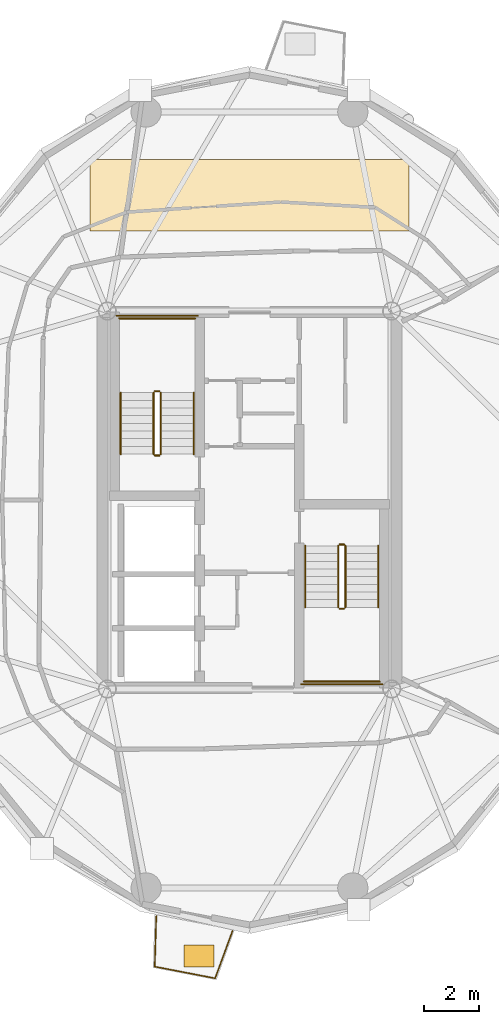
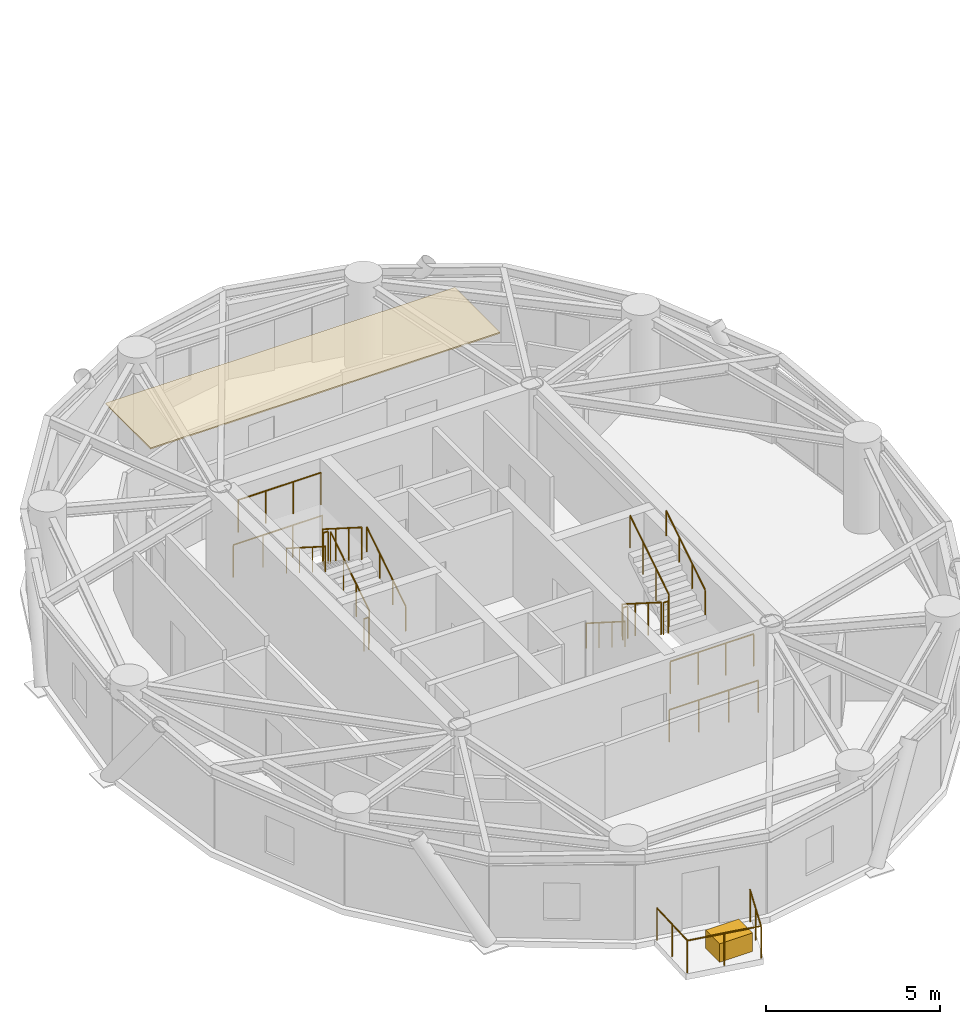
# One storey, part 14 of 16: 17 railings, 2 coverings.
"""IFC4 building model written with IfcOpenShell, lengths in metres."""

from ifc_helpers import new_model, si_unit, direction, frame, origin, origin_2d, place, context, subcontext, project, spatial, polyline, rectangle, circle, outline, extrude, source, transform, mapped, material, layer, layer_set, type_object, element, save


model = new_model("IFC4")

# Units and contexts
model_context = context("Model", 3, precision=1e-05, world=origin(), true_north=direction((0.0, 1.0)))
body_context = subcontext(model_context, "Body", "Model", "MODEL_VIEW")
ifc_project = project(units=[si_unit("LENGTHUNIT", "METRE"), si_unit("AREAUNIT", "SQUARE_METRE"), si_unit("VOLUMEUNIT", "CUBIC_METRE"), si_unit("PLANEANGLEUNIT", "RADIAN"), si_unit("MASSUNIT", "GRAM", prefix="KILO")], contexts=[model_context])

# Site, building, storey
site_placement = place(None, origin())
site = spatial("IfcSite", under=ifc_project, at=site_placement, CompositionType="ELEMENT")
building_placement = place(site_placement, origin())
building = spatial("IfcBuilding", under=site, at=building_placement, Name="Cununo Teusaquillo Station Towers", CompositionType="ELEMENT")
storey_placement = place(building_placement, frame((0.0, 0.0, 226.050048828125)))
storey = spatial("IfcBuildingStorey", under=building, at=storey_placement, Name="L72", CompositionType="ELEMENT", Elevation=226.050048828125)

# Covering
ifc_material_1 = material(Name="Mineral-fibre acoustic suspended ceiling tile", Category="finish")
ifc_layer_1 = layer(ifc_material_1, 0.044921875)
ifc_layer_set_1 = layer_set([ifc_layer_1], Name="Mineral-fibre acoustic suspended ceiling tile")
covering_type_1 = type_object("IfcCoveringType", Name="COV-CEIL-600", PredefinedType="CEILING", material=ifc_layer_set_1)
covering_1_placement = place(storey_placement, frame((0.0, 0.0, 2.945068359375)))
element("IfcCovering", 1, at=covering_1_placement, inside=storey, type_object=covering_type_1, Name="L72 Tower A Acoustic Ceiling", PredefinedType="CEILING", context=body_context, shape_type="SweptSolid", body=[
    extrude(outline(polyline([(22.300048828125, 36.89990234375), (22.300048828125, 34.300048828125), (10.699951171875, 34.300048828125), (10.699951171875, 36.89990234375), (22.300048828125, 36.89990234375)])), origin(), (0.0, 0.0, 1.0), 0.044921875),
])

# Railings
ifc_material_2 = material(Name="Anodised dark bronze aluminium EN AW-6063-T6", Category="aluminium")
railing_type_1 = type_object("IfcRailingType", Name="RL-EXT-GUARD", PredefinedType="GUARDRAIL", material=ifc_material_2)
railing_1_placement = place(storey_placement, frame((15.884765625, 8.819580078125, 0.0)))
element("IfcRailing", 2, at=railing_1_placement, inside=storey, type_object=railing_type_1, Name="L72 Tower A Balcony Guardrail C14", PredefinedType="GUARDRAIL", context=body_context, shape_type="SweptSolid", body=[
    extrude(circle(Radius=0.02392578125, at=origin_2d()), frame((0.0, 0.0, 1.1259765625), z_axis=(-0.344196323776, -0.938897699805, 0.0), x_axis=(0.938897699805, -0.344196323776, 0.0)), (0.0, 0.0, 1.0), 1.844970703125),
    extrude(circle(Radius=0.02392578125, at=origin_2d()), frame((-0.635009765625, -1.732177734375, 1.1259765625), z_axis=(-0.981834932982, 0.18973709278, 0.0), x_axis=(-0.18973709278, -0.981834932982, 0.0)), (0.0, 0.0, 1.0), 2.239013671875),
    extrude(circle(Radius=0.02392578125, at=origin_2d()), frame((-2.833251953125, -1.307373046875, 1.1259765625), z_axis=(0.030305152758, 0.999540693377, 0.0), x_axis=(-0.999540693377, 0.030305152758, 0.0)), (0.0, 0.0, 1.0), 1.8447265625),
    extrude(circle(Radius=0.02099609375, at=origin_2d()), origin(), (0.0, 0.0, 1.0), 1.101806640625),
    extrude(circle(Radius=0.02099609375, at=origin_2d()), frame((-0.3173828125, -0.8662109375, 0.0)), (0.0, 0.0, 1.0), 1.101806640625),
    extrude(circle(Radius=0.02099609375, at=origin_2d()), frame((-0.635009765625, -1.732177734375, 0.0)), (0.0, 0.0, 1.0), 1.101806640625),
    extrude(circle(Radius=0.02099609375, at=origin_2d()), frame((-1.734130859375, -1.519775390625, 0.0)), (0.0, 0.0, 1.0), 1.101806640625),
    extrude(circle(Radius=0.02099609375, at=origin_2d()), frame((-2.833251953125, -1.307373046875, 0.0)), (0.0, 0.0, 1.0), 1.101806640625),
    extrude(circle(Radius=0.02099609375, at=origin_2d()), frame((-2.80517578125, -0.38525390625, 0.0)), (0.0, 0.0, 1.0), 1.101806640625),
    extrude(circle(Radius=0.02099609375, at=origin_2d()), frame((-2.77734375, 0.53662109375, 0.0)), (0.0, 0.0, 1.0), 1.101806640625),
])
ifc_material_3 = material(Name="Steel EN 10025-2 S355J2", Category="steel")
railing_type_2 = type_object("IfcRailingType", Name="RL-INT-GUARD", PredefinedType="GUARDRAIL", material=ifc_material_3)
railing_2_placement = place(storey_placement, frame((13.27001953125, 26.169921875, 0.177734375)))
element("IfcRailing", 3, at=railing_2_placement, inside=storey, type_object=railing_type_2, Name="L72 ST-T1-1 stair guard 1", PredefinedType="GUARDRAIL", context=body_context, shape_type="SweptSolid", body=[
    extrude(circle(Radius=0.02392578125, at=origin_2d()), frame((0.0, 0.0, 1.1259765625), z_axis=(0.0, 0.8442293374, 0.53598211339), x_axis=(-1.0, 0.0, 0.0)), (0.0, 0.0, 1.0), 2.6533203125),
    extrude(circle(Radius=0.02099609375, at=origin_2d()), origin(), (0.0, 0.0, 1.0), 1.101806640625),
    extrude(circle(Radius=0.02099609375, at=origin_2d()), frame((0.0, 0.74658203125, 0.47412109375)), (0.0, 0.0, 1.0), 1.101806640625),
    extrude(circle(Radius=0.02099609375, at=origin_2d()), frame((0.0, 1.493408203125, 0.947998046875)), (0.0, 0.0, 1.0), 1.101806640625),
    extrude(circle(Radius=0.02099609375, at=origin_2d()), frame((0.0, 2.239990234375, 1.422119140625)), (0.0, 0.0, 1.0), 1.101806640625),
])
railing_3_placement = place(storey_placement, frame((13.219970703125, 28.4599609375, 1.599853515625)))
element("IfcRailing", 4, at=railing_3_placement, inside=storey, type_object=railing_type_2, Name="L72 ST-T1-1 stair guard 2", PredefinedType="GUARDRAIL", context=body_context, shape_type="SweptSolid", body=[
    extrude(circle(Radius=0.02392578125, at=origin_2d()), frame((0.0, 0.0, 1.1259765625), z_axis=(-1.0, 0.0, 0.0), x_axis=(0.0, -1.0, 0.0)), (0.0, 0.0, 1.0), 0.159912109375),
    extrude(circle(Radius=0.02099609375, at=origin_2d()), origin(), (0.0, 0.0, 1.0), 1.101806640625),
    extrude(circle(Radius=0.02099609375, at=origin_2d()), frame((-0.159912109375, 0.0, 0.0)), (0.0, 0.0, 1.0), 1.101806640625),
])
railing_4_placement = place(storey_placement, frame((14.52001953125, 31.110107421875, 1.599853515625)))
element("IfcRailing", 5, at=railing_4_placement, inside=storey, type_object=railing_type_2, Name="L72 ST-T1-1 stair guard 3", PredefinedType="GUARDRAIL", context=body_context, shape_type="SweptSolid", body=[
    extrude(circle(Radius=0.02392578125, at=origin_2d()), frame((0.0, 0.0, 1.1259765625), z_axis=(-1.0, 0.0, 0.0), x_axis=(0.0, -1.0, 0.0)), (0.0, 0.0, 1.0), 2.760009765625),
    extrude(circle(Radius=0.02099609375, at=origin_2d()), origin(), (0.0, 0.0, 1.0), 1.101806640625),
    extrude(circle(Radius=0.02099609375, at=origin_2d()), frame((-0.919921875, 0.0, 0.0)), (0.0, 0.0, 1.0), 1.101806640625),
    extrude(circle(Radius=0.02099609375, at=origin_2d()), frame((-1.840087890625, 0.0, 0.0)), (0.0, 0.0, 1.0), 1.101806640625),
    extrude(circle(Radius=0.02099609375, at=origin_2d()), frame((-2.760009765625, 0.0, 0.0)), (0.0, 0.0, 1.0), 1.101806640625),
])
railing_5_placement = place(storey_placement, frame((13.010009765625, 28.409912109375, 1.77783203125)))
element("IfcRailing", 6, at=railing_5_placement, inside=storey, type_object=railing_type_2, Name="L72 ST-T1-1 stair guard 4", PredefinedType="GUARDRAIL", context=body_context, shape_type="SweptSolid", body=[
    extrude(circle(Radius=0.02392578125, at=origin_2d()), frame((0.0, 0.0, 1.1259765625), z_axis=(0.0, -0.8442293374, 0.53598211339), x_axis=(1.0, 0.0, 0.0)), (0.0, 0.0, 1.0), 2.6533203125),
    extrude(circle(Radius=0.02099609375, at=origin_2d()), origin(), (0.0, 0.0, 1.0), 1.101806640625),
    extrude(circle(Radius=0.02099609375, at=origin_2d()), frame((0.0, -0.74658203125, 0.47412109375)), (0.0, 0.0, 1.0), 1.101806640625),
    extrude(circle(Radius=0.02099609375, at=origin_2d()), frame((0.0, -1.493408203125, 0.947998046875)), (0.0, 0.0, 1.0), 1.101806640625),
    extrude(circle(Radius=0.02099609375, at=origin_2d()), frame((0.0, -2.239990234375, 1.422119140625)), (0.0, 0.0, 1.0), 1.101806640625),
])
railing_6_placement = place(storey_placement, frame((13.219970703125, 26.1201171875, 0.0)))
element("IfcRailing", 7, at=railing_6_placement, inside=storey, type_object=railing_type_2, Name="L72 ST-T1-1 stair guard 5", PredefinedType="GUARDRAIL", context=body_context, shape_type="SweptSolid", body=[
    extrude(circle(Radius=0.02392578125, at=origin_2d()), frame((0.0, 0.0, 1.1259765625), z_axis=(-1.0, 0.0, 0.0), x_axis=(0.0, -1.0, 0.0)), (0.0, 0.0, 1.0), 0.159912109375),
    extrude(circle(Radius=0.02099609375, at=origin_2d()), origin(), (0.0, 0.0, 1.0), 1.101806640625),
    extrude(circle(Radius=0.02099609375, at=origin_2d()), frame((-0.159912109375, 0.0, 0.0)), (0.0, 0.0, 1.0), 1.101806640625),
])
railing_7_placement = place(storey_placement, frame((14.6201171875, 31.2099609375, 0.0)))
element("IfcRailing", 8, at=railing_7_placement, inside=storey, type_object=railing_type_2, Name="L72 ST-T1-1 stair guard 6", PredefinedType="GUARDRAIL", context=body_context, shape_type="SweptSolid", body=[
    extrude(circle(Radius=0.02392578125, at=origin_2d()), frame((0.0, 0.0, 1.1259765625), z_axis=(-1.0, 0.0, 0.0), x_axis=(0.0, -1.0, 0.0)), (0.0, 0.0, 1.0), 2.960205078125),
    extrude(circle(Radius=0.02099609375, at=origin_2d()), origin(), (0.0, 0.0, 1.0), 1.101806640625),
    extrude(circle(Radius=0.02099609375, at=origin_2d()), frame((-0.98681640625, 0.0, 0.0)), (0.0, 0.0, 1.0), 1.101806640625),
    extrude(circle(Radius=0.02099609375, at=origin_2d()), frame((-1.973388671875, 0.0, 0.0)), (0.0, 0.0, 1.0), 1.101806640625),
    extrude(circle(Radius=0.02099609375, at=origin_2d()), frame((-2.960205078125, 0.0, 0.0)), (0.0, 0.0, 1.0), 1.101806640625),
])
railing_8_placement = place(storey_placement, frame((19.72998046875, 22.830078125, 0.177734375)))
element("IfcRailing", 9, at=railing_8_placement, inside=storey, type_object=railing_type_2, Name="L72 ST-T1-2 stair guard 1", PredefinedType="GUARDRAIL", context=body_context, shape_type="SweptSolid", body=[
    extrude(circle(Radius=0.02392578125, at=origin_2d()), frame((0.0, 0.0, 1.1259765625), z_axis=(0.0, -0.8442293374, 0.53598211339), x_axis=(1.0, 0.0, 0.0)), (0.0, 0.0, 1.0), 2.6533203125),
    extrude(circle(Radius=0.02099609375, at=origin_2d()), origin(), (0.0, 0.0, 1.0), 1.101806640625),
    extrude(circle(Radius=0.02099609375, at=origin_2d()), frame((0.0, -0.74658203125, 0.47412109375)), (0.0, 0.0, 1.0), 1.101806640625),
    extrude(circle(Radius=0.02099609375, at=origin_2d()), frame((0.0, -1.493408203125, 0.947998046875)), (0.0, 0.0, 1.0), 1.101806640625),
    extrude(circle(Radius=0.02099609375, at=origin_2d()), frame((0.0, -2.239990234375, 1.422119140625)), (0.0, 0.0, 1.0), 1.101806640625),
])
railing_9_placement = place(storey_placement, frame((19.780029296875, 20.5400390625, 1.599853515625)))
element("IfcRailing", 10, at=railing_9_placement, inside=storey, type_object=railing_type_2, Name="L72 ST-T1-2 stair guard 2", PredefinedType="GUARDRAIL", context=body_context, shape_type="SweptSolid", body=[
    extrude(circle(Radius=0.02392578125, at=origin_2d()), frame((0.0, 0.0, 1.1259765625), z_axis=(1.0, 0.0, 0.0), x_axis=(0.0, 1.0, 0.0)), (0.0, 0.0, 1.0), 0.159912109375),
    extrude(circle(Radius=0.02099609375, at=origin_2d()), origin(), (0.0, 0.0, 1.0), 1.101806640625),
    extrude(circle(Radius=0.02099609375, at=origin_2d()), frame((0.159912109375, 0.0, 0.0)), (0.0, 0.0, 1.0), 1.101806640625),
])
railing_10_placement = place(storey_placement, frame((18.47998046875, 17.889892578125, 1.599853515625)))
element("IfcRailing", 11, at=railing_10_placement, inside=storey, type_object=railing_type_2, Name="L72 ST-T1-2 stair guard 3", PredefinedType="GUARDRAIL", context=body_context, shape_type="SweptSolid", body=[
    extrude(circle(Radius=0.02392578125, at=origin_2d()), frame((0.0, 0.0, 1.1259765625), z_axis=(1.0, 0.0, 0.0), x_axis=(0.0, 1.0, 0.0)), (0.0, 0.0, 1.0), 2.760009765625),
    extrude(circle(Radius=0.02099609375, at=origin_2d()), origin(), (0.0, 0.0, 1.0), 1.101806640625),
    extrude(circle(Radius=0.02099609375, at=origin_2d()), frame((0.919921875, 0.0, 0.0)), (0.0, 0.0, 1.0), 1.101806640625),
    extrude(circle(Radius=0.02099609375, at=origin_2d()), frame((1.840087890625, 0.0, 0.0)), (0.0, 0.0, 1.0), 1.101806640625),
    extrude(circle(Radius=0.02099609375, at=origin_2d()), frame((2.760009765625, 0.0, 0.0)), (0.0, 0.0, 1.0), 1.101806640625),
])
railing_11_placement = place(storey_placement, frame((19.989990234375, 20.590087890625, 1.77783203125)))
element("IfcRailing", 12, at=railing_11_placement, inside=storey, type_object=railing_type_2, Name="L72 ST-T1-2 stair guard 4", PredefinedType="GUARDRAIL", context=body_context, shape_type="SweptSolid", body=[
    extrude(circle(Radius=0.02392578125, at=origin_2d()), frame((0.0, 0.0, 1.1259765625), z_axis=(0.0, 0.8442293374, 0.53598211339), x_axis=(-1.0, 0.0, 0.0)), (0.0, 0.0, 1.0), 2.6533203125),
    extrude(circle(Radius=0.02099609375, at=origin_2d()), origin(), (0.0, 0.0, 1.0), 1.101806640625),
    extrude(circle(Radius=0.02099609375, at=origin_2d()), frame((0.0, 0.74658203125, 0.47412109375)), (0.0, 0.0, 1.0), 1.101806640625),
    extrude(circle(Radius=0.02099609375, at=origin_2d()), frame((0.0, 1.493408203125, 0.947998046875)), (0.0, 0.0, 1.0), 1.101806640625),
    extrude(circle(Radius=0.02099609375, at=origin_2d()), frame((0.0, 2.239990234375, 1.422119140625)), (0.0, 0.0, 1.0), 1.101806640625),
])
railing_12_placement = place(storey_placement, frame((19.780029296875, 22.8798828125, 0.0)))
element("IfcRailing", 13, at=railing_12_placement, inside=storey, type_object=railing_type_2, Name="L72 ST-T1-2 stair guard 5", PredefinedType="GUARDRAIL", context=body_context, shape_type="SweptSolid", body=[
    extrude(circle(Radius=0.02392578125, at=origin_2d()), frame((0.0, 0.0, 1.1259765625), z_axis=(1.0, 0.0, 0.0), x_axis=(0.0, 1.0, 0.0)), (0.0, 0.0, 1.0), 0.159912109375),
    extrude(circle(Radius=0.02099609375, at=origin_2d()), origin(), (0.0, 0.0, 1.0), 1.101806640625),
    extrude(circle(Radius=0.02099609375, at=origin_2d()), frame((0.159912109375, 0.0, 0.0)), (0.0, 0.0, 1.0), 1.101806640625),
])
railing_13_placement = place(storey_placement, frame((18.3798828125, 17.7900390625, 0.0)))
element("IfcRailing", 14, at=railing_13_placement, inside=storey, type_object=railing_type_2, Name="L72 ST-T1-2 stair guard 6", PredefinedType="GUARDRAIL", context=body_context, shape_type="SweptSolid", body=[
    extrude(circle(Radius=0.02392578125, at=origin_2d()), frame((0.0, 0.0, 1.1259765625), z_axis=(1.0, 0.0, 0.0), x_axis=(0.0, 1.0, 0.0)), (0.0, 0.0, 1.0), 2.960205078125),
    extrude(circle(Radius=0.02099609375, at=origin_2d()), origin(), (0.0, 0.0, 1.0), 1.101806640625),
    extrude(circle(Radius=0.02099609375, at=origin_2d()), frame((0.98681640625, 0.0, 0.0)), (0.0, 0.0, 1.0), 1.101806640625),
    extrude(circle(Radius=0.02099609375, at=origin_2d()), frame((1.973388671875, 0.0, 0.0)), (0.0, 0.0, 1.0), 1.101806640625),
    extrude(circle(Radius=0.02099609375, at=origin_2d()), frame((2.960205078125, 0.0, 0.0)), (0.0, 0.0, 1.0), 1.101806640625),
])
ifc_material_4 = material(Name="Steel EN 10025-2 S355J2", Category="steel")
railing_type_3 = type_object("IfcRailingType", Name="RL-INT-HRAIL", PredefinedType="HANDRAIL", material=ifc_material_4)
railing_14_placement = place(storey_placement, frame((14.469970703125, 26.169921875, 0.177734375)))
element("IfcRailing", 15, at=railing_14_placement, inside=storey, type_object=railing_type_3, Name="L72 ST-T1-1 stair handrail 1", PredefinedType="HANDRAIL", context=body_context, shape_type="SweptSolid", body=[
    extrude(circle(Radius=0.02392578125, at=origin_2d()), frame((0.0, 0.0, 0.8759765625), z_axis=(0.0, 0.8442293374, 0.53598211339), x_axis=(-1.0, 0.0, 0.0)), (0.0, 0.0, 1.0), 2.6533203125),
    extrude(circle(Radius=0.02099609375, at=origin_2d()), origin(), (0.0, 0.0, 1.0), 0.851806640625),
    extrude(circle(Radius=0.02099609375, at=origin_2d()), frame((0.0, 0.74658203125, 0.47412109375)), (0.0, 0.0, 1.0), 0.851806640625),
    extrude(circle(Radius=0.02099609375, at=origin_2d()), frame((0.0, 1.493408203125, 0.947998046875)), (0.0, 0.0, 1.0), 0.851806640625),
    extrude(circle(Radius=0.02099609375, at=origin_2d()), frame((0.0, 2.239990234375, 1.422119140625)), (0.0, 0.0, 1.0), 0.851806640625),
])
for number, where, name in (
    (16, (11.81005859375, 28.409912109375, 1.77783203125), "L72 ST-T1-1 stair handrail 2"),
    (17, (18.530029296875, 22.830078125, 0.177734375), "L72 ST-T1-2 stair handrail 1"),
):
    element("IfcRailing", number, at=place(storey_placement, frame(where)), inside=storey, type_object=railing_type_3, Name=name, PredefinedType="HANDRAIL", context=body_context, shape_type="SweptSolid", body=[
        extrude(circle(Radius=0.02392578125, at=origin_2d()), frame((0.0, 0.0, 0.8759765625), z_axis=(0.0, -0.8442293374, 0.53598211339), x_axis=(1.0, 0.0, 0.0)), (0.0, 0.0, 1.0), 2.6533203125),
        extrude(circle(Radius=0.02099609375, at=origin_2d()), origin(), (0.0, 0.0, 1.0), 0.851806640625),
        extrude(circle(Radius=0.02099609375, at=origin_2d()), frame((0.0, -0.74658203125, 0.47412109375)), (0.0, 0.0, 1.0), 0.851806640625),
        extrude(circle(Radius=0.02099609375, at=origin_2d()), frame((0.0, -1.493408203125, 0.947998046875)), (0.0, 0.0, 1.0), 0.851806640625),
        extrude(circle(Radius=0.02099609375, at=origin_2d()), frame((0.0, -2.239990234375, 1.422119140625)), (0.0, 0.0, 1.0), 0.851806640625),
    ])
railing_15_placement = place(storey_placement, frame((21.18994140625, 20.590087890625, 1.77783203125)))
element("IfcRailing", 18, at=railing_15_placement, inside=storey, type_object=railing_type_3, Name="L72 ST-T1-2 stair handrail 2", PredefinedType="HANDRAIL", context=body_context, shape_type="SweptSolid", body=[
    extrude(circle(Radius=0.02392578125, at=origin_2d()), frame((0.0, 0.0, 0.8759765625), z_axis=(0.0, 0.8442293374, 0.53598211339), x_axis=(-1.0, 0.0, 0.0)), (0.0, 0.0, 1.0), 2.6533203125),
    extrude(circle(Radius=0.02099609375, at=origin_2d()), origin(), (0.0, 0.0, 1.0), 0.851806640625),
    extrude(circle(Radius=0.02099609375, at=origin_2d()), frame((0.0, 0.74658203125, 0.47412109375)), (0.0, 0.0, 1.0), 0.851806640625),
    extrude(circle(Radius=0.02099609375, at=origin_2d()), frame((0.0, 1.493408203125, 0.947998046875)), (0.0, 0.0, 1.0), 0.851806640625),
    extrude(circle(Radius=0.02099609375, at=origin_2d()), frame((0.0, 2.239990234375, 1.422119140625)), (0.0, 0.0, 1.0), 0.851806640625),
])

# Covering
ifc_material_5 = material(Name="Architectural GRC planter shell and engineered root-zone substrate", Category="concrete")
ifc_layer_2 = layer(ifc_material_5, 0.64990234375)
ifc_layer_set_2 = layer_set([ifc_layer_2], Name="Architectural GRC planter shell and engineered root-zone substrate")
covering_type_2 = type_object("IfcCoveringType", Name="COV-TREE-PLANTER", PredefinedType="CLADDING", material=ifc_layer_set_2)
shared_shape = source(origin(), body_context, "Body", "SweptSolid", [
    extrude(rectangle(XDim=1.10009765625, YDim=0.800048828125, at=origin_2d()), origin(), (0.0, 0.0, 1.0), 0.64990234375),
])
covering_2_placement = place(storey_placement, frame((14.658203125, 7.897216796875, 0.0), z_axis=(0.0, 0.0, 1.0), x_axis=(1.0, 0.0, 0.0)))
element("IfcCovering", 19, at=covering_2_placement, inside=storey, type_object=covering_type_2, Name="L72 Tower A Balcony Tree PLANTER C14", PredefinedType="CLADDING", context=body_context, shape_type="MappedRepresentation", body=[
    mapped(shared_shape, transform((0.0, 0.0, 0.0), x_axis=(1.0, 0.0, 0.0), y_axis=(0.0, 1.0, 0.0), z_axis=(0.0, 0.0, 1.0), scale=1.0)),
])

save(model, "model.ifc")
